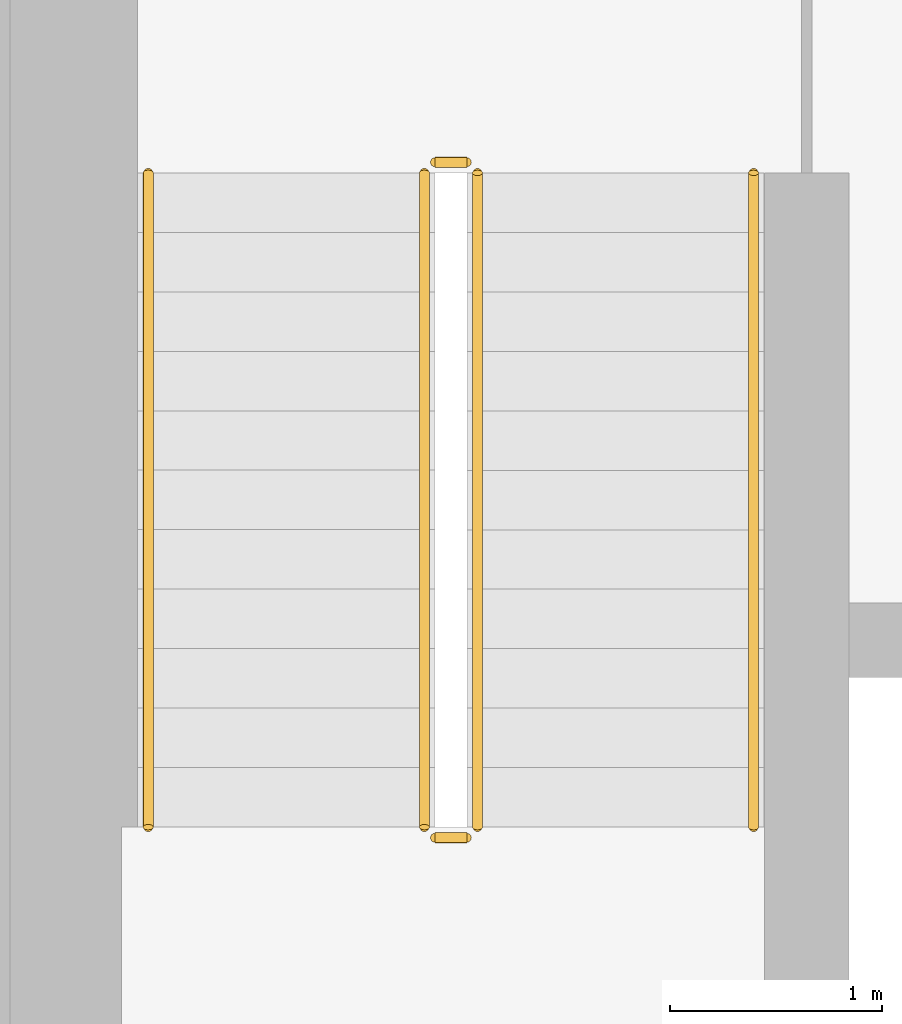
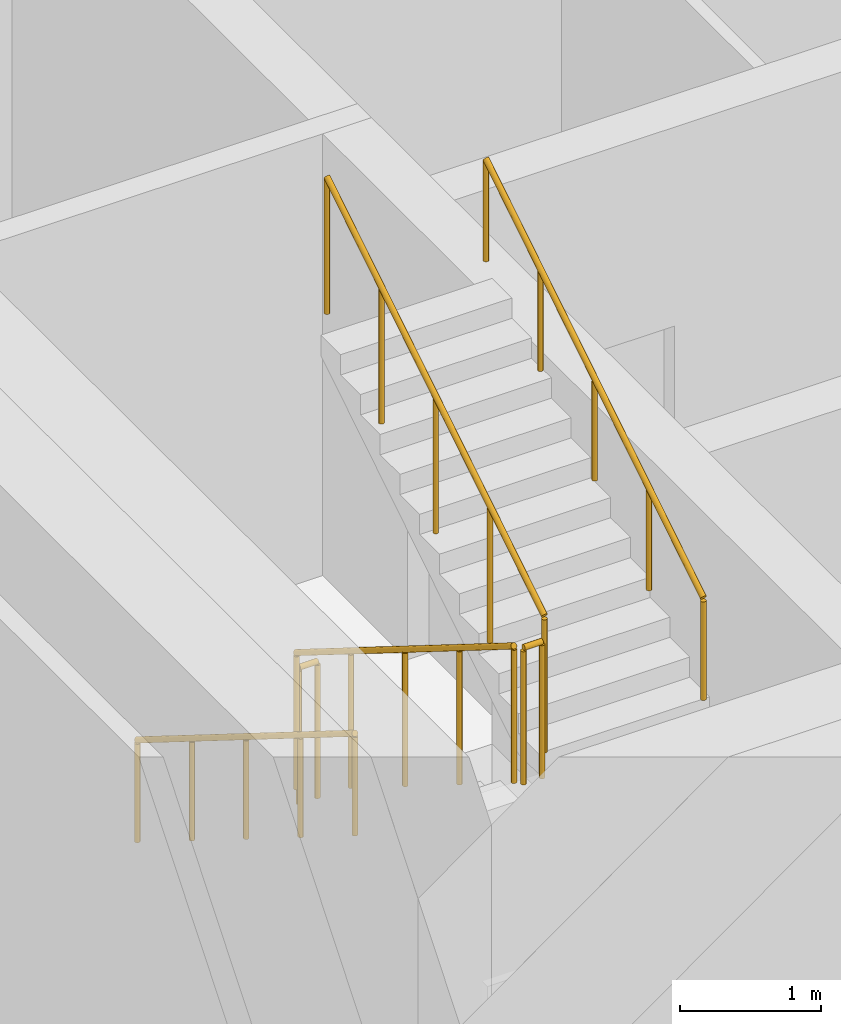
# One storey, part 19 of 24: 6 railings.
"""IFC4 building model written with IfcOpenShell, lengths in metres."""

import ifcopenshell
import ifcopenshell.guid

model = None  # the IFC model being written
_history = None  # IfcOwnerHistory: only IFC2X3 demands one
_inside = {}  # id of a spatial element -> (the spatial element, [elements in it])
_under = {}  # id of a project, library or spatial element -> (it, [spatial elements below it])
_declared = {}  # id of a project -> (the project, [libraries it declares])
_typed = {}  # id of a type object -> (the type object, [elements of that type])
_made_of = {}  # id of a material, layer set ... -> (it, [elements and type objects made of it])


def new_model(schema):
    """Start an empty IFC model of exactly this schema.

    Asked for "IFC4X3", IfcOpenShell would pick the latest addendum, in which some entities
    have other attributes; the version numbers below select the first issue.
    IFC2X3 requires an IfcOwnerHistory on every rooted entity: one is made here for all.
    """
    global model, _history
    if schema == "IFC4X3":
        model = ifcopenshell.file(schema_version=(4, 3, 0, 0))
    else:
        model = ifcopenshell.file(schema=schema)
    _inside.clear()
    _under.clear()
    _declared.clear()
    _typed.clear()
    _made_of.clear()
    _history = None
    if model.schema == "IFC2X3":
        org = make("IfcOrganization", Name="unknown")
        user = make(
            "IfcPersonAndOrganization",
            ThePerson=make("IfcPerson", FamilyName="unknown"),
            TheOrganization=org,
        )
        app = make(
            "IfcApplication",
            ApplicationDeveloper=org,
            Version="unknown",
            ApplicationFullName="unknown",
            ApplicationIdentifier="unknown",
        )
        _history = make(
            "IfcOwnerHistory",
            OwningUser=user,
            OwningApplication=app,
            ChangeAction="ADDED",
            CreationDate=0,
        )
    return model


def make(cls, **values):
    """One entity of the class cls with the attributes given. An attribute that is None is left unset."""
    return model.create_entity(
        cls, **{name: value for name, value in values.items() if value is not None}
    )


def rooted(cls, **values):
    """An entity with a GlobalId (a new one), such as an element, a storey or a relation."""
    return make(cls, GlobalId=ifcopenshell.guid.new(), OwnerHistory=_history, **values)


def si_unit(unit_type, name, prefix=None):
    """IfcSIUnit, for example si_unit("LENGTHUNIT", "METRE", prefix="MILLI")."""
    return make("IfcSIUnit", UnitType=unit_type, Prefix=prefix, Name=name)


def assignment(units):
    """IfcUnitAssignment: the units of a project."""
    return None if units is None else make("IfcUnitAssignment", Units=units)


def point(xyz):
    """IfcCartesianPoint."""
    return None if xyz is None else make("IfcCartesianPoint", Coordinates=xyz)


def direction(xyz):
    """IfcDirection."""
    return None if xyz is None else make("IfcDirection", DirectionRatios=xyz)


def frame(location, z_axis=None, x_axis=None):
    """IfcAxis2Placement3D, a coordinate frame: its origin and axes. An axis left out is left unset."""
    return make(
        "IfcAxis2Placement3D",
        Location=point(location),
        Axis=direction(z_axis),
        RefDirection=direction(x_axis),
    )


def frame_2d(location, x_axis=None):
    """IfcAxis2Placement2D, a coordinate frame in the plane: its origin and x axis."""
    return make(
        "IfcAxis2Placement2D", Location=point(location), RefDirection=direction(x_axis)
    )


def origin():
    """The frame at (0, 0, 0) with its axes left unset."""
    return frame((0.0, 0.0, 0.0))


def origin_2d():
    """The frame at (0, 0) in the plane with its x axis left unset."""
    return frame_2d((0.0, 0.0))


def place(relative_to, where):
    """IfcLocalPlacement: puts the frame where relative to a parent placement (None: the world)."""
    return make(
        "IfcLocalPlacement", PlacementRelTo=relative_to, RelativePlacement=where
    )


def context(
    kind, dimensions, precision=None, world=None, true_north=None, identifier=None
):
    """IfcGeometricRepresentationContext, for example the 3D "Model" context."""
    return make(
        "IfcGeometricRepresentationContext",
        ContextIdentifier=identifier,
        ContextType=kind,
        CoordinateSpaceDimension=dimensions,
        Precision=precision,
        WorldCoordinateSystem=world,
        TrueNorth=true_north,
    )


def subcontext(parent, identifier, kind, view, scale=None):
    """IfcGeometricRepresentationSubContext, for example "Body" below "Model"."""
    return make(
        "IfcGeometricRepresentationSubContext",
        ContextIdentifier=identifier,
        ContextType=kind,
        ParentContext=parent,
        TargetScale=scale,
        TargetView=view,
    )


def project(units=None, contexts=None):
    """IfcProject with its units and contexts."""
    return rooted(
        "IfcProject",
        Name="project",
        RepresentationContexts=contexts,
        UnitsInContext=assignment(units),
    )


def spatial(cls, under=None, at=None, **own):
    """A site, building, storey or space (cls), placed at a placement, below another one or the project."""
    s = rooted(cls, ObjectPlacement=at, **own)
    if under is not None:
        _under.setdefault(under.id(), (under, []))[1].append(s)
    return s


def profile(cls, at=None, kind="AREA", **sizes):
    """A parametric profile (cls). Its sizes go by their IFC names, for example OverallWidth=200.0."""
    return make(cls, ProfileType=kind, Position=at, **sizes)


def circle(**sizes):
    """IfcCircleProfileDef."""
    return profile("IfcCircleProfileDef", **sizes)


def extrude(swept, where, along, depth):
    """IfcExtrudedAreaSolid: the profile swept, set in the frame where, extruded along a direction by depth."""
    return make(
        "IfcExtrudedAreaSolid",
        SweptArea=swept,
        Position=where,
        ExtrudedDirection=direction(along),
        Depth=depth,
    )


def shape(context_of_items, identifier, shape_type, items):
    """IfcShapeRepresentation: the items that make up one representation, for example the "Body"."""
    return make(
        "IfcShapeRepresentation",
        ContextOfItems=context_of_items,
        RepresentationIdentifier=identifier,
        RepresentationType=shape_type,
        Items=items,
    )


def material(Name=None, Category=None):
    """IfcMaterial."""
    return make("IfcMaterial", Name=Name, Category=Category)


def made_of(thing, what):
    """Note that an element or type object is made of a material, layer set ...; save() writes the relation."""
    if what is not None:
        _made_of.setdefault(what.id(), (what, []))[1].append(thing)
    return thing


def type_object(cls, material=None, **own):
    """A type object (cls), such as IfcWallType, which elements share."""
    return made_of(rooted(cls, **own), material)


def element(
    cls,
    number,
    at=None,
    inside=None,
    cuts=None,
    type_object=None,
    material=None,
    context=None,
    identifier="Body",
    shape_type=None,
    held_by="IfcProductDefinitionShape",
    body=None,
    shapes=None,
    **own,
):
    """One element of the class cls, such as IfcWall. Its Tag is "e" and its number.

    at: its placement. inside: the storey or other place that contains it. cuts: it is an
    opening in that element (IfcRelVoidsElement). A single representation is given by context,
    identifier, shape_type and body (its items); several are given by shapes. held_by: the class
    of the entity that holds the representations. save() writes the other relations.
    """
    e = rooted(cls, Tag="e%d" % number, ObjectPlacement=at, **own)
    if body is not None:
        shapes = [shape(context, identifier, shape_type, body)]
    if shapes is not None:
        e.Representation = make(held_by, Representations=shapes)
    if inside is not None:
        _inside.setdefault(inside.id(), (inside, []))[1].append(e)
    if cuts is not None:
        rooted(
            "IfcRelVoidsElement", RelatingBuildingElement=cuts, RelatedOpeningElement=e
        )
    if type_object is not None:
        _typed.setdefault(type_object.id(), (type_object, []))[1].append(e)
    return made_of(e, material)


def aggregate(whole, parts):
    """IfcRelAggregates: a whole, such as a stair, and the parts it consists of."""
    return rooted("IfcRelAggregates", RelatingObject=whole, RelatedObjects=parts)


def save(model, path):
    """Write the relations noted so far, then the file.

    IfcRelAggregates (storeys below a building ...), IfcRelContainedInSpatialStructure (elements
    in a storey), IfcRelDefinesByType, IfcRelAssociatesMaterial and IfcRelDeclares: one each for
    every whole, place, type object, material and project.
    """
    for whole, parts in _under.values():
        aggregate(whole, parts)
    for where, things in _inside.values():
        rooted(
            "IfcRelContainedInSpatialStructure",
            RelatedElements=things,
            RelatingStructure=where,
        )
    for kind, things in _typed.values():
        rooted("IfcRelDefinesByType", RelatedObjects=things, RelatingType=kind)
    for what, things in _made_of.values():
        rooted("IfcRelAssociatesMaterial", RelatedObjects=things, RelatingMaterial=what)
    for by, libraries in _declared.values():
        rooted("IfcRelDeclares", RelatingContext=by, RelatedDefinitions=libraries)
    model.write(path)


model = new_model("IFC4")

# Units and contexts
model_context = context("Model", 3, precision=1e-05, world=origin(), true_north=direction((0.0, 1.0)))
body_context = subcontext(model_context, "Body", "Model", "MODEL_VIEW")
ifc_project = project(units=[si_unit("LENGTHUNIT", "METRE"), si_unit("AREAUNIT", "SQUARE_METRE"), si_unit("VOLUMEUNIT", "CUBIC_METRE"), si_unit("PLANEANGLEUNIT", "RADIAN"), si_unit("MASSUNIT", "GRAM", prefix="KILO")], contexts=[model_context])

# Site, building, storey
site_placement = place(None, origin())
site = spatial("IfcSite", under=ifc_project, at=site_placement, CompositionType="ELEMENT")
building_placement = place(site_placement, origin())
building = spatial("IfcBuilding", under=site, at=building_placement, Name="Dongbaek Canopy Tower", CompositionType="ELEMENT")
storey_placement = place(building_placement, frame((0.0, 0.0, 302.60009765625)))
storey = spatial("IfcBuildingStorey", under=building, at=storey_placement, Name="L64", CompositionType="ELEMENT", Elevation=302.60009765625)

# Railings
ifc_material_1 = material(Name="Stainless steel tube and balusters", Category="steel")
railing_type_1 = type_object("IfcRailingType", Name="Stair guard 1200", PredefinedType="GUARDRAIL", material=ifc_material_1)
railing_1_placement = place(storey_placement, frame((-11.449951171875, -4.699951171875, 0.1748046875)))
element("IfcRailing", 1, at=railing_1_placement, inside=storey, type_object=railing_type_1, Name="L64 ST-D stair guard 1", PredefinedType="GUARDRAIL", context=body_context, shape_type="SweptSolid", body=[
    extrude(circle(Radius=0.02392578125, at=origin_2d()), frame((0.0, 0.0, 1.17578125), z_axis=(0.0, -0.847998304005, 0.529998940003), x_axis=(1.0, 0.0, 0.0)), (0.0, 0.0, 1.0), 3.632080078125),
    extrude(circle(Radius=0.02099609375, at=origin_2d()), origin(), (0.0, 0.0, 1.0), 1.15185546875),
    extrude(circle(Radius=0.02099609375, at=origin_2d()), frame((0.0, -0.77001953125, 0.481201171875)), (0.0, 0.0, 1.0), 1.15185546875),
    extrude(circle(Radius=0.02099609375, at=origin_2d()), frame((0.0, -1.5400390625, 0.96240234375)), (0.0, 0.0, 1.0), 1.15185546875),
    extrude(circle(Radius=0.02099609375, at=origin_2d()), frame((0.0, -2.31005859375, 1.44384765625)), (0.0, 0.0, 1.0), 1.15185546875),
    extrude(circle(Radius=0.02099609375, at=origin_2d()), frame((0.0, -3.080078125, 1.925048828125)), (0.0, 0.0, 1.0), 1.15185546875),
])
railing_2_placement = place(storey_placement, frame((-11.39990234375, -7.830078125, 2.099853515625)))
element("IfcRailing", 2, at=railing_2_placement, inside=storey, type_object=railing_type_1, Name="L64 ST-D stair guard 2", PredefinedType="GUARDRAIL", context=body_context, shape_type="SweptSolid", body=[
    extrude(circle(Radius=0.02392578125, at=origin_2d()), frame((0.0, 0.0, 1.17578125), z_axis=(1.0, 0.0, 0.0), x_axis=(0.0, 1.0, 0.0)), (0.0, 0.0, 1.0), 0.14990234375),
    extrude(circle(Radius=0.02099609375, at=origin_2d()), origin(), (0.0, 0.0, 1.0), 1.15185546875),
    extrude(circle(Radius=0.02099609375, at=origin_2d()), frame((0.14990234375, 0.0, 0.0)), (0.0, 0.0, 1.0), 1.15185546875),
])
railing_3_placement = place(storey_placement, frame((-11.199951171875, -7.780029296875, 2.27490234375)))
element("IfcRailing", 3, at=railing_3_placement, inside=storey, type_object=railing_type_1, Name="L64 ST-D stair guard 3", PredefinedType="GUARDRAIL", context=body_context, shape_type="SweptSolid", body=[
    extrude(circle(Radius=0.02392578125, at=origin_2d()), frame((0.0, 0.0, 1.17578125), z_axis=(0.0, 0.847998304005, 0.529998940003), x_axis=(-1.0, 0.0, 0.0)), (0.0, 0.0, 1.0), 3.632080078125),
    extrude(circle(Radius=0.02099609375, at=origin_2d()), origin(), (0.0, 0.0, 1.0), 1.15185546875),
    extrude(circle(Radius=0.02099609375, at=origin_2d()), frame((0.0, 0.77001953125, 0.481201171875)), (0.0, 0.0, 1.0), 1.15185546875),
    extrude(circle(Radius=0.02099609375, at=origin_2d()), frame((0.0, 1.5400390625, 0.96240234375)), (0.0, 0.0, 1.0), 1.15185546875),
    extrude(circle(Radius=0.02099609375, at=origin_2d()), frame((0.0, 2.31005859375, 1.44384765625)), (0.0, 0.0, 1.0), 1.15185546875),
    extrude(circle(Radius=0.02099609375, at=origin_2d()), frame((0.0, 3.080078125, 1.925048828125)), (0.0, 0.0, 1.0), 1.15185546875),
])
railing_4_placement = place(storey_placement, frame((-11.39990234375, -4.64990234375, 0.0)))
element("IfcRailing", 4, at=railing_4_placement, inside=storey, type_object=railing_type_1, Name="L64 ST-D stair guard 4", PredefinedType="GUARDRAIL", context=body_context, shape_type="SweptSolid", body=[
    extrude(circle(Radius=0.02392578125, at=origin_2d()), frame((0.0, 0.0, 1.17578125), z_axis=(1.0, 0.0, 0.0), x_axis=(0.0, 1.0, 0.0)), (0.0, 0.0, 1.0), 0.14990234375),
    extrude(circle(Radius=0.02099609375, at=origin_2d()), origin(), (0.0, 0.0, 1.0), 1.15185546875),
    extrude(circle(Radius=0.02099609375, at=origin_2d()), frame((0.14990234375, 0.0, 0.0)), (0.0, 0.0, 1.0), 1.15185546875),
])
ifc_material_2 = material(Name="Stainless steel tube", Category="steel")
railing_type_2 = type_object("IfcRailingType", Name="Stair handrail 900", PredefinedType="HANDRAIL", material=ifc_material_2)
railing_5_placement = place(storey_placement, frame((-12.75, -4.699951171875, 0.1748046875)))
element("IfcRailing", 5, at=railing_5_placement, inside=storey, type_object=railing_type_2, Name="L64 ST-D stair handrail 1", PredefinedType="HANDRAIL", context=body_context, shape_type="SweptSolid", body=[
    extrude(circle(Radius=0.02392578125, at=origin_2d()), frame((0.0, 0.0, 0.8759765625), z_axis=(0.0, -0.847998304005, 0.529998940003), x_axis=(1.0, 0.0, 0.0)), (0.0, 0.0, 1.0), 3.632080078125),
    extrude(circle(Radius=0.02099609375, at=origin_2d()), origin(), (0.0, 0.0, 1.0), 0.851806640625),
    extrude(circle(Radius=0.02099609375, at=origin_2d()), frame((0.0, -0.77001953125, 0.481201171875)), (0.0, 0.0, 1.0), 0.851806640625),
    extrude(circle(Radius=0.02099609375, at=origin_2d()), frame((0.0, -1.5400390625, 0.96240234375)), (0.0, 0.0, 1.0), 0.851806640625),
    extrude(circle(Radius=0.02099609375, at=origin_2d()), frame((0.0, -2.31005859375, 1.44384765625)), (0.0, 0.0, 1.0), 0.851806640625),
    extrude(circle(Radius=0.02099609375, at=origin_2d()), frame((0.0, -3.080078125, 1.925048828125)), (0.0, 0.0, 1.0), 0.851806640625),
])
railing_6_placement = place(storey_placement, frame((-9.89990234375, -7.780029296875, 2.27490234375)))
element("IfcRailing", 6, at=railing_6_placement, inside=storey, type_object=railing_type_2, Name="L64 ST-D stair handrail 2", PredefinedType="HANDRAIL", context=body_context, shape_type="SweptSolid", body=[
    extrude(circle(Radius=0.02392578125, at=origin_2d()), frame((0.0, 0.0, 0.8759765625), z_axis=(0.0, 0.847998304005, 0.529998940003), x_axis=(-1.0, 0.0, 0.0)), (0.0, 0.0, 1.0), 3.632080078125),
    extrude(circle(Radius=0.02099609375, at=origin_2d()), origin(), (0.0, 0.0, 1.0), 0.851806640625),
    extrude(circle(Radius=0.02099609375, at=origin_2d()), frame((0.0, 0.77001953125, 0.481201171875)), (0.0, 0.0, 1.0), 0.851806640625),
    extrude(circle(Radius=0.02099609375, at=origin_2d()), frame((0.0, 1.5400390625, 0.96240234375)), (0.0, 0.0, 1.0), 0.851806640625),
    extrude(circle(Radius=0.02099609375, at=origin_2d()), frame((0.0, 2.31005859375, 1.44384765625)), (0.0, 0.0, 1.0), 0.851806640625),
    extrude(circle(Radius=0.02099609375, at=origin_2d()), frame((0.0, 3.080078125, 1.925048828125)), (0.0, 0.0, 1.0), 0.851806640625),
])

save(model, "model.ifc")
